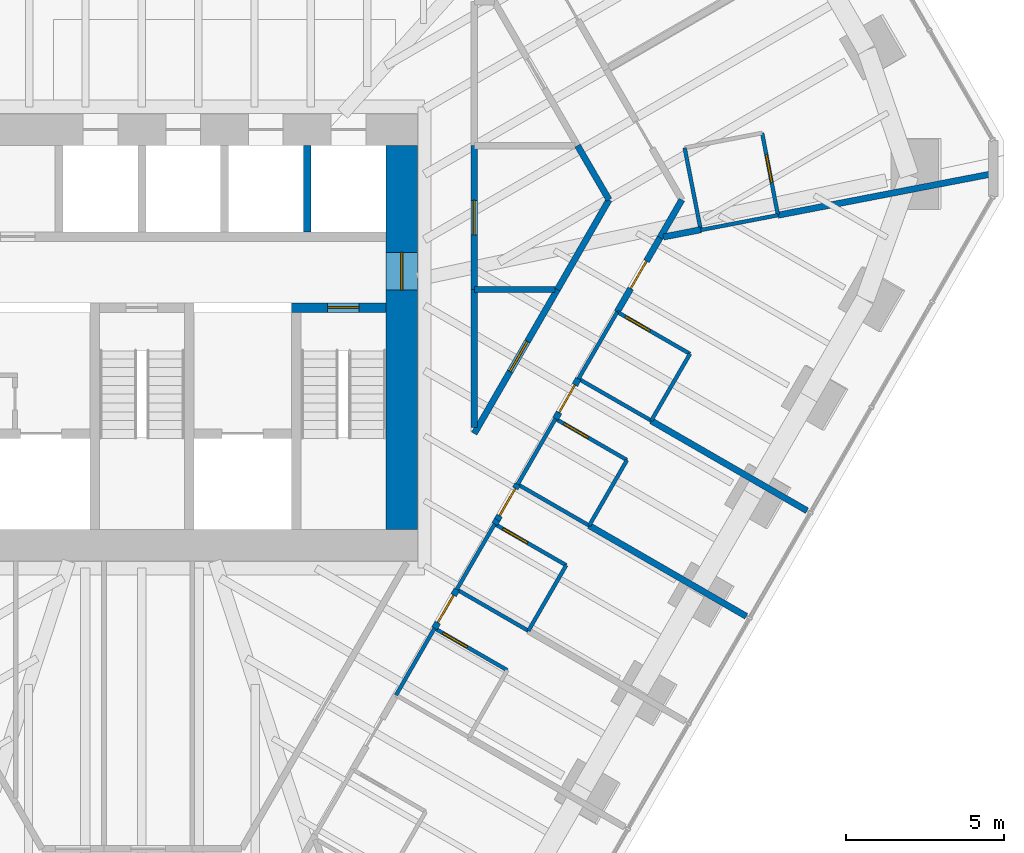
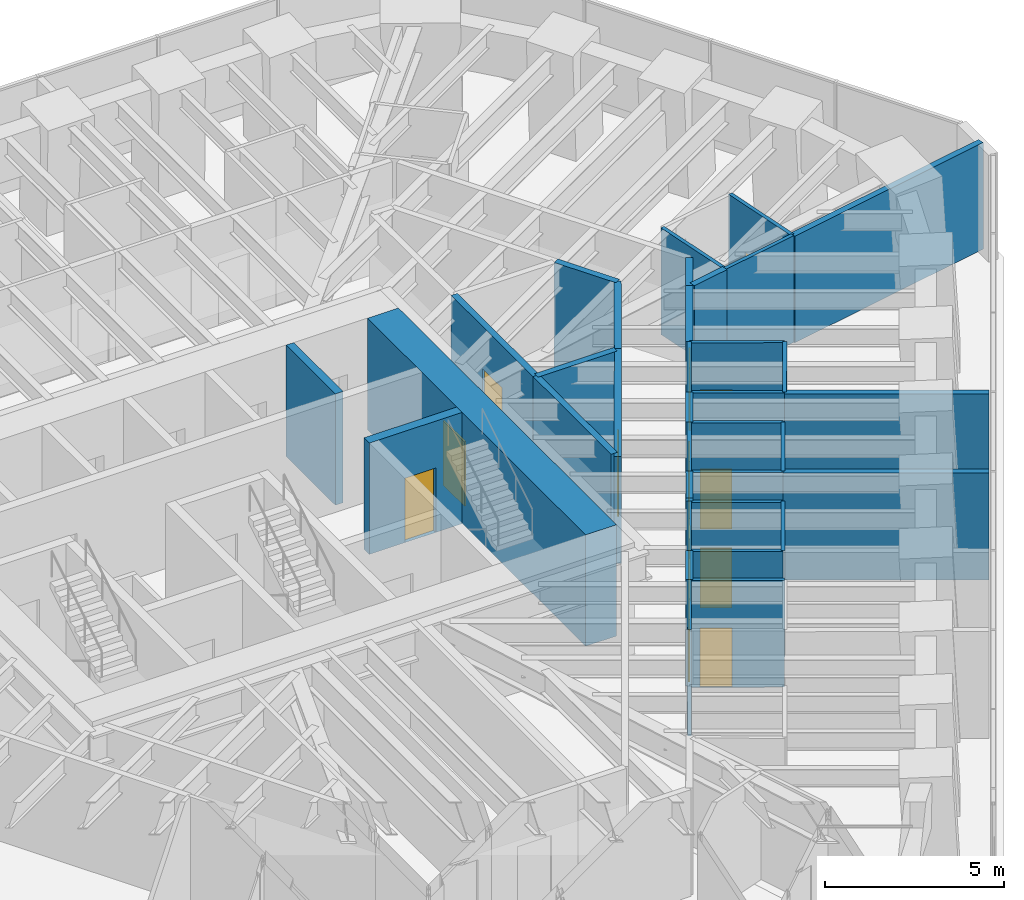
# One storey, part 13 of 17: 36 walls, 13 doors, 13 openings.
"""IFC4 building model written with IfcOpenShell, lengths in metres."""

from ifc_helpers import new_model, si_unit, direction, frame, frame_2d, origin, place, context, subcontext, project, spatial, rectangle, extrude, material, layer, layer_set, type_object, element, fill, save


model = new_model("IFC4")

# Units and contexts
model_context = context("Model", 3, precision=1e-05, world=origin(), true_north=direction((0.0, 1.0)))
body_context = subcontext(model_context, "Body", "Model", "MODEL_VIEW")
ifc_project = project(units=[si_unit("LENGTHUNIT", "METRE"), si_unit("AREAUNIT", "SQUARE_METRE"), si_unit("VOLUMEUNIT", "CUBIC_METRE"), si_unit("PLANEANGLEUNIT", "RADIAN"), si_unit("MASSUNIT", "GRAM", prefix="KILO")], contexts=[model_context])

# Site, building, storey
site_placement = place(None, origin())
site = spatial("IfcSite", under=ifc_project, at=site_placement, CompositionType="ELEMENT")
building_placement = place(site_placement, origin())
building = spatial("IfcBuilding", under=site, at=building_placement, Name="Sandreach Pilgrim Tower", CompositionType="ELEMENT")
storey_placement = place(building_placement, frame((0.0, 0.0, 240.199951171875)))
storey = spatial("IfcBuildingStorey", under=building, at=storey_placement, Name="L60", CompositionType="ELEMENT", Elevation=240.199951171875)

# Walls
ifc_material_1 = material(Name="Moisture-resistant gypsum board on steel studs", Category="steel")
ifc_layer_1 = layer(ifc_material_1, 0.1201171875)
ifc_layer_set_1 = layer_set([ifc_layer_1], Name="Bathroom partition 120")
wall_type_1 = type_object("IfcWallType", Name="Bathroom partition 120", PredefinedType="PARTITIONING", material=ifc_layer_set_1)
wall_1_placement = place(storey_placement, frame((8.070068359375, -11.35009765625, 0.0), z_axis=(0.0, 0.0, 1.0), x_axis=(0.498748634132, 0.866746675766, 0.0)))
element("IfcWall", 1, at=wall_1_placement, inside=storey, type_object=wall_type_1, Name="Bathroom partition L60-101", PredefinedType="PARTITIONING", context=body_context, shape_type="SweptSolid", body=[
    extrude(rectangle(XDim=2.446044921875, YDim=0.1201171875, at=frame_2d((1.22314453125, 0.0))), origin(), (0.0, 0.0, 1.0), 3.64013671875),
])
wall_2_placement = place(storey_placement, frame((9.996337890625, -7.998046875, 0.0), z_axis=(0.0, 0.0, 1.0), x_axis=(0.501188543314, 0.865338109672, 0.0)))
element("IfcWall", 2, at=wall_2_placement, inside=storey, type_object=wall_type_1, Name="Bathroom partition L60-108", PredefinedType="PARTITIONING", context=body_context, shape_type="SweptSolid", body=[
    extrude(rectangle(XDim=2.401611328125, YDim=0.1201171875, at=frame_2d((1.20068359375, 0.0))), origin(), (0.0, 0.0, 1.0), 3.64013671875),
])
wall_3_placement = place(storey_placement, frame((10.0, -8.0, 0.0), z_axis=(0.0, 0.0, 1.0), x_axis=(0.866010296064, -0.500026166427, 0.0)))
element("IfcWall", 3, at=wall_3_placement, inside=storey, type_object=wall_type_1, Name="Bathroom partition L60-109", PredefinedType="PARTITIONING", context=body_context, shape_type="SweptSolid", body=[
    extrude(rectangle(XDim=2.620849609375, YDim=0.1201171875, at=frame_2d((1.310546875, 0.0))), origin(), (0.0, 0.0, 1.0), 3.64013671875),
])

# Wall, opening, door
wall_4_placement = place(storey_placement, frame((11.60009765625, -10.56005859375, 0.0), z_axis=(0.0, 0.0, 1.0), x_axis=(-0.866615255992, 0.498976951453, 0.0)))
wall_4 = element("IfcWall", 4, at=wall_4_placement, inside=storey, type_object=wall_type_1, Name="Bathroom partition L60-125", PredefinedType="PARTITIONING", context=body_context, shape_type="SweptSolid", body=[
    extrude(rectangle(XDim=2.66552734375, YDim=0.1201171875, at=frame_2d((1.332763671875, 0.0))), origin(), (0.0, 0.0, 1.0), 3.64013671875),
])
opening_1_placement = place(wall_4_placement, frame((1.465576171875, 0.0, 0.0)))
opening_1 = element("IfcOpeningElement", 5, at=opening_1_placement, cuts=wall_4, Name="Opening D09-11B", PredefinedType="OPENING", context=body_context, shape_type="SweptSolid", body=[
    extrude(rectangle(XDim=0.89990234375, YDim=2.030029296875, at=frame_2d((0.449951171875, 1.01513671875))), frame((0.0, 0.06005859375, 0.0), z_axis=(0.0, -1.0, 0.0), x_axis=(1.0, 0.0, 0.0)), (0.0, 0.0, 1.0), 0.1201171875),
])
ifc_material_2 = material(Name="Timber door, steel frame", Category="steel")
door_type_1 = type_object("IfcDoorType", Name="Bathroom door", OperationType="SINGLE_SWING_LEFT", PredefinedType="DOOR", material=ifc_material_2)
door_1_placement = place(opening_1_placement, origin())
door_1 = element("IfcDoor", 6, at=door_1_placement, inside=storey, type_object=door_type_1, Name="Door 6011B", OperationType="SINGLE_SWING_RIGHT", OverallHeight=2.030029296875, OverallWidth=0.89990234375, PredefinedType="DOOR", context=body_context, shape_type="SweptSolid", body=[
    extrude(rectangle(XDim=0.89990234375, YDim=2.030029296875, at=frame_2d((0.449951171875, 1.01513671875))), frame((0.0, 0.02490234375, 0.0), z_axis=(0.0, -1.0, 0.0), x_axis=(1.0, 0.0, 0.0)), (0.0, 0.0, 1.0), 0.050048828125),
])
fill(opening_1, door_1)

# Walls
wall_5_placement = place(storey_placement, frame((11.929931640625, -4.659912109375, 0.0), z_axis=(0.0, 0.0, 1.0), x_axis=(0.499737123639, 0.866177122335, 0.0)))
element("IfcWall", 7, at=wall_5_placement, inside=storey, type_object=wall_type_1, Name="Bathroom partition L60-128", PredefinedType="PARTITIONING", context=body_context, shape_type="SweptSolid", body=[
    extrude(rectangle(XDim=2.401123046875, YDim=0.1201171875, at=frame_2d((1.20068359375, 0.0))), origin(), (0.0, 0.0, 1.0), 3.64013671875),
])
wall_6_placement = place(storey_placement, frame((11.929931640625, -4.659912109375, 0.0), z_axis=(0.0, 0.0, 1.0), x_axis=(0.865969958829, -0.500096021185, 0.0)))
element("IfcWall", 8, at=wall_6_placement, inside=storey, type_object=wall_type_1, Name="Bathroom partition L60-129", PredefinedType="PARTITIONING", context=body_context, shape_type="SweptSolid", body=[
    extrude(rectangle(XDim=2.62109375, YDim=0.1201171875, at=frame_2d((1.310546875, 0.0))), origin(), (0.0, 0.0, 1.0), 3.64013671875),
])
wall_7_placement = place(storey_placement, frame((12.27001953125, -9.31005859375, 0.0), z_axis=(0.0, 0.0, 1.0), x_axis=(0.499693115345, 0.866202511239, 0.0)))
element("IfcWall", 9, at=wall_7_placement, inside=storey, type_object=wall_type_1, Name="Bathroom partition L60-131", PredefinedType="PARTITIONING", context=body_context, shape_type="SweptSolid", body=[
    extrude(rectangle(XDim=2.4013671875, YDim=0.1201171875, at=frame_2d((1.20068359375, 0.0))), origin(), (0.0, 0.0, 1.0), 3.64013671875),
])

# Wall, opening, door
wall_8_placement = place(storey_placement, frame((13.469970703125, -7.22998046875, 0.0), z_axis=(0.0, 0.0, 1.0), x_axis=(-0.866114241029, 0.499846097802, 0.0)))
wall_8 = element("IfcWall", 10, at=wall_8_placement, inside=storey, type_object=wall_type_1, Name="Bathroom partition L60-136", PredefinedType="PARTITIONING", context=body_context, shape_type="SweptSolid", body=[
    extrude(rectangle(XDim=2.620849609375, YDim=0.1201171875, at=frame_2d((1.310546875, 0.0))), origin(), (0.0, 0.0, 1.0), 3.64013671875),
])
opening_2_placement = place(wall_8_placement, frame((1.4208984375, 0.0, 0.0)))
opening_2 = element("IfcOpeningElement", 11, at=opening_2_placement, cuts=wall_8, Name="Opening D09-10B", PredefinedType="OPENING", context=body_context, shape_type="SweptSolid", body=[
    extrude(rectangle(XDim=0.89990234375, YDim=2.030029296875, at=frame_2d((0.449951171875, 1.01513671875))), frame((0.0, 0.06005859375, 0.0), z_axis=(0.0, -1.0, 0.0), x_axis=(1.0, 0.0, 0.0)), (0.0, 0.0, 1.0), 0.1201171875),
])
door_2_placement = place(opening_2_placement, origin())
door_2 = element("IfcDoor", 12, at=door_2_placement, inside=storey, type_object=door_type_1, Name="Door 6010B", OperationType="SINGLE_SWING_RIGHT", OverallHeight=2.030029296875, OverallWidth=0.89990234375, PredefinedType="DOOR", context=body_context, shape_type="SweptSolid", body=[
    extrude(rectangle(XDim=0.89990234375, YDim=2.030029296875, at=frame_2d((0.449951171875, 1.01513671875))), frame((0.0, 0.02490234375, 0.0), z_axis=(0.0, -1.0, 0.0), x_axis=(1.0, 0.0, 0.0)), (0.0, 0.0, 1.0), 0.050048828125),
])
fill(opening_2, door_2)

# Walls
wall_9_placement = place(storey_placement, frame((13.860107421875, -1.31005859375, 0.0), z_axis=(0.0, 0.0, 1.0), x_axis=(0.501813488763, 0.864975850817, 0.0)))
element("IfcWall", 13, at=wall_9_placement, inside=storey, type_object=wall_type_1, Name="Bathroom partition L60-140", PredefinedType="PARTITIONING", context=body_context, shape_type="SweptSolid", body=[
    extrude(rectangle(XDim=2.451171875, YDim=0.1201171875, at=frame_2d((1.2255859375, 0.0))), origin(), (0.0, 0.0, 1.0), 3.64013671875),
])
wall_10_placement = place(storey_placement, frame((14.199951171875, -5.969970703125, 0.0), z_axis=(0.0, 0.0, 1.0), x_axis=(0.499737123639, 0.866177122335, 0.0)))
element("IfcWall", 14, at=wall_10_placement, inside=storey, type_object=wall_type_1, Name="Bathroom partition L60-142", PredefinedType="PARTITIONING", context=body_context, shape_type="SweptSolid", body=[
    extrude(rectangle(XDim=2.401123046875, YDim=0.1201171875, at=frame_2d((1.20068359375, 0.0))), origin(), (0.0, 0.0, 1.0), 3.64013671875),
])

# Wall, opening, door
wall_11_placement = place(storey_placement, frame((15.39990234375, -3.889892578125, 0.0), z_axis=(0.0, 0.0, 1.0), x_axis=(-0.866154567199, 0.49977621564, 0.0)))
wall_11 = element("IfcWall", 15, at=wall_11_placement, inside=storey, type_object=wall_type_1, Name="Bathroom partition L60-146", PredefinedType="PARTITIONING", context=body_context, shape_type="SweptSolid", body=[
    extrude(rectangle(XDim=2.620849609375, YDim=0.1201171875, at=frame_2d((1.310546875, 0.0))), origin(), (0.0, 0.0, 1.0), 3.64013671875),
])
opening_3_placement = place(wall_11_placement, frame((1.4208984375, 0.0, 0.0)))
opening_3 = element("IfcOpeningElement", 16, at=opening_3_placement, cuts=wall_11, Name="Opening D09-09B", PredefinedType="OPENING", context=body_context, shape_type="SweptSolid", body=[
    extrude(rectangle(XDim=0.89990234375, YDim=2.030029296875, at=frame_2d((0.449951171875, 1.01513671875))), frame((0.0, 0.06005859375, 0.0), z_axis=(0.0, -1.0, 0.0), x_axis=(1.0, 0.0, 0.0)), (0.0, 0.0, 1.0), 0.1201171875),
])
door_3_placement = place(opening_3_placement, origin())
door_3 = element("IfcDoor", 17, at=door_3_placement, inside=storey, type_object=door_type_1, Name="Door 6009B", OperationType="SINGLE_SWING_RIGHT", OverallHeight=2.030029296875, OverallWidth=0.89990234375, PredefinedType="DOOR", context=body_context, shape_type="SweptSolid", body=[
    extrude(rectangle(XDim=0.89990234375, YDim=2.030029296875, at=frame_2d((0.449951171875, 1.01513671875))), frame((0.0, 0.02490234375, 0.0), z_axis=(0.0, -1.0, 0.0), x_axis=(1.0, 0.0, 0.0)), (0.0, 0.0, 1.0), 0.050048828125),
])
fill(opening_3, door_3)

# Walls
wall_12_placement = place(storey_placement, frame((16.169921875, -2.639892578125, 0.0), z_axis=(0.0, 0.0, 1.0), x_axis=(-0.86663205897, 0.498947767172, 0.0)))
element("IfcWall", 18, at=wall_12_placement, inside=storey, type_object=wall_type_1, Name="Bathroom partition L60-148", PredefinedType="PARTITIONING", context=body_context, shape_type="SweptSolid", body=[
    extrude(rectangle(XDim=2.665283203125, YDim=0.1201171875, at=frame_2d((1.33251953125, 0.0))), origin(), (0.0, 0.0, 1.0), 3.64013671875),
])
wall_13_placement = place(storey_placement, frame((16.169921875, -2.639892578125, 0.0), z_axis=(0.0, 0.0, 1.0), x_axis=(0.501856726365, 0.86495076519, 0.0)))
element("IfcWall", 19, at=wall_13_placement, inside=storey, type_object=wall_type_1, Name="Bathroom partition L60-149", PredefinedType="PARTITIONING", context=body_context, shape_type="SweptSolid", body=[
    extrude(rectangle(XDim=2.450927734375, YDim=0.1201171875, at=frame_2d((1.2255859375, 0.0))), origin(), (0.0, 0.0, 1.0), 3.64013671875),
])
wall_14_placement = place(storey_placement, frame((17.22998046875, 6.02001953125, 0.0), z_axis=(0.0, 0.0, 1.0), x_axis=(0.192499717639, -0.981297028788, 0.0)))
element("IfcWall", 20, at=wall_14_placement, inside=storey, type_object=wall_type_1, Name="Bathroom partition L60-153", PredefinedType="PARTITIONING", context=body_context, shape_type="SweptSolid", body=[
    extrude(rectangle(XDim=2.6494140625, YDim=0.1201171875, at=frame_2d((1.32470703125, 0.0))), origin(), (0.0, 0.0, 1.0), 3.64013671875),
])

# Wall, opening, door
wall_15_placement = place(storey_placement, frame((17.39990234375, -0.52001953125, 0.0), z_axis=(0.0, 0.0, 1.0), x_axis=(-0.866592449628, 0.499016559092, 0.0)))
wall_15 = element("IfcWall", 21, at=wall_15_placement, inside=storey, type_object=wall_type_1, Name="Bathroom partition L60-154", PredefinedType="PARTITIONING", context=body_context, shape_type="SweptSolid", body=[
    extrude(rectangle(XDim=2.665283203125, YDim=0.1201171875, at=frame_2d((1.33251953125, 0.0))), origin(), (0.0, 0.0, 1.0), 3.64013671875),
])
opening_4_placement = place(wall_15_placement, frame((1.465576171875, 0.0, 0.0)))
opening_4 = element("IfcOpeningElement", 22, at=opening_4_placement, cuts=wall_15, Name="Opening D09-08B", PredefinedType="OPENING", context=body_context, shape_type="SweptSolid", body=[
    extrude(rectangle(XDim=0.89990234375, YDim=2.030029296875, at=frame_2d((0.449951171875, 1.01513671875))), frame((0.0, 0.06005859375, 0.0), z_axis=(0.0, -1.0, 0.0), x_axis=(1.0, 0.0, 0.0)), (0.0, 0.0, 1.0), 0.1201171875),
])
door_4_placement = place(opening_4_placement, origin())
door_4 = element("IfcDoor", 23, at=door_4_placement, inside=storey, type_object=door_type_1, Name="Door 6008B", OperationType="SINGLE_SWING_RIGHT", OverallHeight=2.030029296875, OverallWidth=0.89990234375, PredefinedType="DOOR", context=body_context, shape_type="SweptSolid", body=[
    extrude(rectangle(XDim=0.89990234375, YDim=2.030029296875, at=frame_2d((0.449951171875, 1.01513671875))), frame((0.0, 0.02490234375, 0.0), z_axis=(0.0, -1.0, 0.0), x_axis=(1.0, 0.0, 0.0)), (0.0, 0.0, 1.0), 0.050048828125),
])
fill(opening_4, door_4)

# Wall
wall_16_placement = place(storey_placement, frame((17.739990234375, 3.409912109375, 0.0), z_axis=(0.0, 0.0, 1.0), x_axis=(0.981991098912, 0.188927186128, 0.0)))
element("IfcWall", 24, at=wall_16_placement, inside=storey, type_object=wall_type_1, Name="Bathroom partition L60-155", PredefinedType="PARTITIONING", context=body_context, shape_type="SweptSolid", body=[
    extrude(rectangle(XDim=2.49658203125, YDim=0.1201171875, at=frame_2d((1.248291015625, 0.0))), origin(), (0.0, 0.0, 1.0), 3.64013671875),
])

# Wall, opening, door
wall_17_placement = place(storey_placement, frame((20.18994140625, 3.889892578125, 0.0), z_axis=(0.0, 0.0, 1.0), x_axis=(-0.188840553732, 0.982007762325, 0.0)))
wall_17 = element("IfcWall", 25, at=wall_17_placement, inside=storey, type_object=wall_type_1, Name="Bathroom partition L60-158", PredefinedType="PARTITIONING", context=body_context, shape_type="SweptSolid", body=[
    extrude(rectangle(XDim=2.647705078125, YDim=0.1201171875, at=frame_2d((1.32373046875, 0.0))), origin(), (0.0, 0.0, 1.0), 3.64013671875),
])
opening_5_placement = place(wall_17_placement, frame((1.050048828125, 0.0, 0.0)))
opening_5 = element("IfcOpeningElement", 26, at=opening_5_placement, cuts=wall_17, Name="Opening D09-07B", PredefinedType="OPENING", context=body_context, shape_type="SweptSolid", body=[
    extrude(rectangle(XDim=0.89990234375, YDim=2.030029296875, at=frame_2d((0.449951171875, 1.01513671875))), frame((0.0, 0.06005859375, 0.0), z_axis=(0.0, -1.0, 0.0), x_axis=(1.0, 0.0, 0.0)), (0.0, 0.0, 1.0), 0.1201171875),
])
door_5_placement = place(opening_5_placement, origin())
door_5 = element("IfcDoor", 27, at=door_5_placement, inside=storey, type_object=door_type_1, Name="Door 6007B", OperationType="SINGLE_SWING_RIGHT", OverallHeight=2.030029296875, OverallWidth=0.89990234375, PredefinedType="DOOR", context=body_context, shape_type="SweptSolid", body=[
    extrude(rectangle(XDim=0.89990234375, YDim=2.030029296875, at=frame_2d((0.449951171875, 1.01513671875))), frame((0.0, 0.02490234375, 0.0), z_axis=(0.0, -1.0, 0.0), x_axis=(1.0, 0.0, 0.0)), (0.0, 0.0, 1.0), 0.050048828125),
])
fill(opening_5, door_5)

ifc_material_3 = material(Name="Concrete 10000 psi", Category="concrete")
ifc_layer_2 = layer(ifc_material_3, 0.300048828125)
ifc_layer_set_2 = layer_set([ifc_layer_2], Name="Core inner wall 300")
wall_type_2 = type_object("IfcWallType", Name="Core inner wall 300", PredefinedType="SHEAR", material=ifc_layer_set_2)
wall_18_placement = place(storey_placement, frame((4.75, 0.949951171875, 0.0), z_axis=(0.0, 0.0, 1.0), x_axis=(1.0, 0.0, 0.0)))
wall_18 = element("IfcWall", 28, at=wall_18_placement, inside=storey, type_object=wall_type_2, Name="Core wall SN2 L60", PredefinedType="SHEAR", context=body_context, shape_type="SweptSolid", body=[
    extrude(rectangle(XDim=3.0, YDim=0.300048828125, at=frame_2d((1.5, 0.0))), origin(), (0.0, 0.0, 1.0), 3.800048828125),
])
opening_6_placement = place(wall_18_placement, frame((1.14990234375, 0.0, 0.0)))
opening_6 = element("IfcOpeningElement", 29, at=opening_6_placement, cuts=wall_18, Name="Opening D10S-ST2", PredefinedType="OPENING", context=body_context, shape_type="SweptSolid", body=[
    extrude(rectangle(XDim=1.0, YDim=2.199951171875, at=frame_2d((0.5, 1.10009765625))), frame((0.0, 0.14990234375, 0.0), z_axis=(0.0, -1.0, 0.0), x_axis=(1.0, 0.0, 0.0)), (0.0, 0.0, 1.0), 0.300048828125),
])
ifc_material_4 = material(Name="Steel door and frame", Category="steel")
door_type_2 = type_object("IfcDoorType", Name="Stair door", OperationType="SINGLE_SWING_LEFT", PredefinedType="DOOR", material=ifc_material_4)
door_6_placement = place(opening_6_placement, origin())
door_6 = element("IfcDoor", 30, at=door_6_placement, inside=storey, type_object=door_type_2, Name="Stair door ST2 L60", OperationType="SINGLE_SWING_RIGHT", OverallHeight=2.199951171875, OverallWidth=1.0, PredefinedType="DOOR", context=body_context, shape_type="SweptSolid", body=[
    extrude(rectangle(XDim=1.0, YDim=2.199951171875, at=frame_2d((0.5, 1.10009765625))), frame((0.0, 0.02490234375, 0.0), z_axis=(0.0, -1.0, 0.0), x_axis=(1.0, 0.0, 0.0)), (0.0, 0.0, 1.0), 0.050048828125),
])
fill(opening_6, door_6)

ifc_material_5 = material(Name="Concrete 10000 psi", Category="concrete")
ifc_layer_3 = layer(ifc_material_5, 1.0)
ifc_layer_set_3 = layer_set([ifc_layer_3], Name="Core wall 1000")
wall_type_3 = type_object("IfcWallType", Name="Core wall 1000", PredefinedType="SHEAR", material=ifc_layer_set_3)
wall_19_placement = place(storey_placement, frame((8.25, -6.10009765625, 0.0), z_axis=(0.0, 0.0, 1.0), x_axis=(0.0, 1.0, 0.0)))
wall_19 = element("IfcWall", 31, at=wall_19_placement, inside=storey, type_object=wall_type_3, Name="Core wall E L60", PredefinedType="SHEAR", context=body_context, shape_type="SweptSolid", body=[
    extrude(rectangle(XDim=12.2001953125, YDim=1.0, at=frame_2d((6.10009765625, 0.0))), origin(), (0.0, 0.0, 1.0), 3.800048828125),
])
opening_7_placement = place(wall_19_placement, frame((7.60009765625, 0.0, 0.0)))
opening_7 = element("IfcOpeningElement", 32, at=opening_7_placement, cuts=wall_19, Name="Opening D12F-E", PredefinedType="OPENING", context=body_context, shape_type="SweptSolid", body=[
    extrude(rectangle(XDim=1.199951171875, YDim=2.199951171875, at=frame_2d((0.60009765625, 1.10009765625))), frame((0.0, 0.5, 0.0), z_axis=(0.0, -1.0, 0.0), x_axis=(1.0, 0.0, 0.0)), (0.0, 0.0, 1.0), 1.0),
])
ifc_material_6 = material(Name="Steel door and frame", Category="steel")
door_type_3 = type_object("IfcDoorType", Name="Fire lobby door", OperationType="SINGLE_SWING_LEFT", PredefinedType="DOOR", material=ifc_material_6)
door_7_placement = place(opening_7_placement, origin())
door_7 = element("IfcDoor", 33, at=door_7_placement, inside=storey, type_object=door_type_3, Name="Fire service lobby door E L60", OperationType="SINGLE_SWING_RIGHT", OverallHeight=2.199951171875, OverallWidth=1.199951171875, PredefinedType="DOOR", context=body_context, shape_type="SweptSolid", body=[
    extrude(rectangle(XDim=1.199951171875, YDim=2.199951171875, at=frame_2d((0.60009765625, 1.10009765625))), frame((0.0, 0.02490234375, 0.0), z_axis=(0.0, -1.0, 0.0), x_axis=(1.0, 0.0, 0.0)), (0.0, 0.0, 1.0), 0.050048828125),
])
fill(opening_7, door_7)

ifc_material_7 = material(Name="Gypsum board on steel studs, two layers each side", Category="steel")
ifc_layer_4 = layer(ifc_material_7, 0.199951171875)
ifc_layer_set_4 = layer_set([ifc_layer_4], Name="Corridor wall 200")
wall_type_4 = type_object("IfcWallType", Name="Corridor wall 200", PredefinedType="PARTITIONING", material=ifc_layer_set_4)
wall_20_placement = place(storey_placement, frame((9.2900390625, -9.22998046875, 0.0), z_axis=(0.0, 0.0, 1.0), x_axis=(0.499910949922, 0.866076810767, 0.0)))
wall_20 = element("IfcWall", 34, at=wall_20_placement, inside=storey, type_object=wall_type_4, Name="Corridor wall L60-107", PredefinedType="PARTITIONING", context=body_context, shape_type="SweptSolid", body=[
    extrude(rectangle(XDim=1.420166015625, YDim=0.199951171875, at=frame_2d((0.7099609375, 0.0))), origin(), (0.0, 0.0, 1.0), 3.64013671875),
])
opening_8_placement = place(wall_20_placement, frame((0.210205078125, 0.0, 0.0)))
opening_8 = element("IfcOpeningElement", 35, at=opening_8_placement, cuts=wall_20, Name="Opening D10-11", PredefinedType="OPENING", context=body_context, shape_type="SweptSolid", body=[
    extrude(rectangle(XDim=1.0, YDim=2.1298828125, at=frame_2d((0.5, 1.06494140625))), frame((0.0, 0.10009765625, 0.0), z_axis=(0.0, -1.0, 0.0), x_axis=(1.0, 0.0, 0.0)), (0.0, 0.0, 1.0), 0.199951171875),
])
ifc_material_8 = material(Name="Steel door and frame", Category="steel")
door_type_4 = type_object("IfcDoorType", Name="Guest room entry door", OperationType="SINGLE_SWING_LEFT", PredefinedType="DOOR", material=ifc_material_8)
door_8_placement = place(opening_8_placement, origin())
door_8 = element("IfcDoor", 36, at=door_8_placement, inside=storey, type_object=door_type_4, Name="Door 6011", OperationType="SINGLE_SWING_LEFT", OverallHeight=2.1298828125, OverallWidth=1.0, PredefinedType="DOOR", context=body_context, shape_type="SweptSolid", body=[
    extrude(rectangle(XDim=1.0, YDim=2.1298828125, at=frame_2d((0.5, 1.06494140625))), frame((0.0, 0.02490234375, 0.0), z_axis=(0.0, -1.0, 0.0), x_axis=(1.0, 0.0, 0.0)), (0.0, 0.0, 1.0), 0.050048828125),
])
fill(opening_8, door_8)

# Wall
wall_21_placement = place(storey_placement, frame((10.550048828125, -2.85498046875, 0.0), z_axis=(0.0, 0.0, 1.0), x_axis=(0.0, 1.0, 0.0)))
element("IfcWall", 37, at=wall_21_placement, inside=storey, type_object=wall_type_4, Name="Corridor wall L60-112", PredefinedType="PARTITIONING", context=body_context, shape_type="SweptSolid", body=[
    extrude(rectangle(XDim=4.375, YDim=0.199951171875, at=frame_2d((2.1875, 0.0))), origin(), (0.0, 0.0, 1.0), 3.64013671875),
])

# Wall, opening, door
wall_22_placement = place(storey_placement, frame((10.550048828125, 1.52001953125, 0.0), z_axis=(0.0, 0.0, 1.0), x_axis=(0.0, 1.0, 0.0)))
wall_22 = element("IfcWall", 38, at=wall_22_placement, inside=storey, type_object=wall_type_4, Name="Corridor wall L60-113", PredefinedType="PARTITIONING", context=body_context, shape_type="SweptSolid", body=[
    extrude(rectangle(XDim=4.570068359375, YDim=0.199951171875, at=frame_2d((2.28515625, 0.0))), origin(), (0.0, 0.0, 1.0), 3.64013671875),
])
opening_9_placement = place(wall_22_placement, frame((1.735107421875, 0.0, 0.0)))
opening_9 = element("IfcOpeningElement", 39, at=opening_9_placement, cuts=wall_22, Name="Opening D11H-M06", PredefinedType="OPENING", context=body_context, shape_type="SweptSolid", body=[
    extrude(rectangle(XDim=1.10009765625, YDim=2.199951171875, at=frame_2d((0.550048828125, 1.10009765625))), frame((0.0, 0.10009765625, 0.0), z_axis=(0.0, -1.0, 0.0), x_axis=(1.0, 0.0, 0.0)), (0.0, 0.0, 1.0), 0.199951171875),
])
ifc_material_9 = material(Name="Steel door and frame", Category="steel")
door_type_5 = type_object("IfcDoorType", Name="Back of house door", OperationType="SINGLE_SWING_LEFT", PredefinedType="DOOR", material=ifc_material_9)
door_9_placement = place(opening_9_placement, origin())
door_9 = element("IfcDoor", 40, at=door_9_placement, inside=storey, type_object=door_type_5, Name="Door 60M06", OperationType="SINGLE_SWING_LEFT", OverallHeight=2.199951171875, OverallWidth=1.10009765625, PredefinedType="DOOR", context=body_context, shape_type="SweptSolid", body=[
    extrude(rectangle(XDim=1.10009765625, YDim=2.199951171875, at=frame_2d((0.550048828125, 1.10009765625))), frame((0.0, 0.02490234375, 0.0), z_axis=(0.0, -1.0, 0.0), x_axis=(1.0, 0.0, 0.0)), (0.0, 0.0, 1.0), 0.050048828125),
])
fill(opening_9, door_9)

# Wall
wall_23_placement = place(storey_placement, frame((11.199951171875, -5.919921875, 0.0), z_axis=(0.0, 0.0, 1.0), x_axis=(0.524811420021, 0.851218522717, 0.0)))
element("IfcWall", 41, at=wall_23_placement, inside=storey, type_object=wall_type_4, Name="Corridor wall L60-123", PredefinedType="PARTITIONING", context=body_context, shape_type="SweptSolid", body=[
    extrude(rectangle(XDim=0.152587890625, YDim=0.199951171875, at=frame_2d((0.076171875, 0.0))), origin(), (0.0, 0.0, 1.0), 3.64013671875),
])

# Wall, opening, door
wall_24_placement = place(storey_placement, frame((11.280029296875, -5.7900390625, 0.0), z_axis=(0.0, 0.0, 1.0), x_axis=(0.498516863914, 0.866880001149, 0.0)))
wall_24 = element("IfcWall", 42, at=wall_24_placement, inside=storey, type_object=wall_type_4, Name="Corridor wall L60-124", PredefinedType="PARTITIONING", context=body_context, shape_type="SweptSolid", body=[
    extrude(rectangle(XDim=1.3037109375, YDim=0.199951171875, at=frame_2d((0.65185546875, 0.0))), origin(), (0.0, 0.0, 1.0), 3.64013671875),
])
opening_10_placement = place(wall_24_placement, frame((0.15185546875, 0.0, 0.0)))
opening_10 = element("IfcOpeningElement", 43, at=opening_10_placement, cuts=wall_24, Name="Opening D10-10", PredefinedType="OPENING", context=body_context, shape_type="SweptSolid", body=[
    extrude(rectangle(XDim=1.0, YDim=2.1298828125, at=frame_2d((0.5, 1.06494140625))), frame((0.0, 0.10009765625, 0.0), z_axis=(0.0, -1.0, 0.0), x_axis=(1.0, 0.0, 0.0)), (0.0, 0.0, 1.0), 0.199951171875),
])
door_10_placement = place(opening_10_placement, origin())
door_10 = element("IfcDoor", 44, at=door_10_placement, inside=storey, type_object=door_type_4, Name="Door 6010", OperationType="SINGLE_SWING_LEFT", OverallHeight=2.1298828125, OverallWidth=1.0, PredefinedType="DOOR", context=body_context, shape_type="SweptSolid", body=[
    extrude(rectangle(XDim=1.0, YDim=2.1298828125, at=frame_2d((0.5, 1.06494140625))), frame((0.0, 0.02490234375, 0.0), z_axis=(0.0, -1.0, 0.0), x_axis=(1.0, 0.0, 0.0)), (0.0, 0.0, 1.0), 0.050048828125),
])
fill(opening_10, door_10)

wall_25_placement = place(storey_placement, frame((13.129638671875, -2.579833984375, 0.0), z_axis=(0.0, 0.0, 1.0), x_axis=(0.498649595136, 0.866803657855, 0.0)))
wall_25 = element("IfcWall", 45, at=wall_25_placement, inside=storey, type_object=wall_type_4, Name="Corridor wall L60-134", PredefinedType="PARTITIONING", context=body_context, shape_type="SweptSolid", body=[
    extrude(rectangle(XDim=1.46484375, YDim=0.199951171875, at=frame_2d((0.732421875, 0.0))), origin(), (0.0, 0.0, 1.0), 3.64013671875),
])
opening_11_placement = place(wall_25_placement, frame((0.232421875, 0.0, 0.0)))
opening_11 = element("IfcOpeningElement", 46, at=opening_11_placement, cuts=wall_25, Name="Opening D10-09", PredefinedType="OPENING", context=body_context, shape_type="SweptSolid", body=[
    extrude(rectangle(XDim=1.0, YDim=2.1298828125, at=frame_2d((0.5, 1.06494140625))), frame((0.0, 0.10009765625, 0.0), z_axis=(0.0, -1.0, 0.0), x_axis=(1.0, 0.0, 0.0)), (0.0, 0.0, 1.0), 0.199951171875),
])
door_11_placement = place(opening_11_placement, origin())
door_11 = element("IfcDoor", 47, at=door_11_placement, inside=storey, type_object=door_type_4, Name="Door 6009", OperationType="SINGLE_SWING_LEFT", OverallHeight=2.1298828125, OverallWidth=1.0, PredefinedType="DOOR", context=body_context, shape_type="SweptSolid", body=[
    extrude(rectangle(XDim=1.0, YDim=2.1298828125, at=frame_2d((0.5, 1.06494140625))), frame((0.0, 0.02490234375, 0.0), z_axis=(0.0, -1.0, 0.0), x_axis=(1.0, 0.0, 0.0)), (0.0, 0.0, 1.0), 0.050048828125),
])
fill(opening_11, door_11)

wall_26_placement = place(storey_placement, frame((13.18994140625, 1.52001953125, 0.0), z_axis=(0.0, 0.0, 1.0), x_axis=(-0.500193590286, -0.865913605527, 0.0)))
wall_26 = element("IfcWall", 48, at=wall_26_placement, inside=storey, type_object=wall_type_4, Name="Corridor wall L60-135", PredefinedType="PARTITIONING", context=body_context, shape_type="SweptSolid", body=[
    extrude(rectangle(XDim=5.27783203125, YDim=0.199951171875, at=frame_2d((2.638916015625, 0.0))), origin(), (0.0, 0.0, 1.0), 3.64013671875),
])
opening_12_placement = place(wall_26_placement, frame((1.89990234375, 0.0, 0.0)))
opening_12 = element("IfcOpeningElement", 49, at=opening_12_placement, cuts=wall_26, Name="Opening D11H-M04", PredefinedType="OPENING", context=body_context, shape_type="SweptSolid", body=[
    extrude(rectangle(XDim=1.10009765625, YDim=2.199951171875, at=frame_2d((0.550048828125, 1.10009765625))), frame((0.0, 0.10009765625, 0.0), z_axis=(0.0, -1.0, 0.0), x_axis=(1.0, 0.0, 0.0)), (0.0, 0.0, 1.0), 0.199951171875),
])
door_12_placement = place(opening_12_placement, origin())
door_12 = element("IfcDoor", 50, at=door_12_placement, inside=storey, type_object=door_type_5, Name="Door 60M04", OperationType="SINGLE_SWING_LEFT", OverallHeight=2.199951171875, OverallWidth=1.10009765625, PredefinedType="DOOR", context=body_context, shape_type="SweptSolid", body=[
    extrude(rectangle(XDim=1.10009765625, YDim=2.199951171875, at=frame_2d((0.550048828125, 1.10009765625))), frame((0.0, 0.02490234375, 0.0), z_axis=(0.0, -1.0, 0.0), x_axis=(1.0, 0.0, 0.0)), (0.0, 0.0, 1.0), 0.050048828125),
])
fill(opening_12, door_12)

# Walls
wall_27_placement = place(storey_placement, frame((13.830078125, 6.090087890625, 0.0), z_axis=(0.0, 0.0, 1.0), x_axis=(0.502573539539, -0.864534462792, 0.0)))
element("IfcWall", 51, at=wall_27_placement, inside=storey, type_object=wall_type_4, Name="Corridor wall L60-139", PredefinedType="PARTITIONING", context=body_context, shape_type="SweptSolid", body=[
    extrude(rectangle(XDim=1.98974609375, YDim=0.199951171875, at=frame_2d((0.994873046875, 0.0))), origin(), (0.0, 0.0, 1.0), 3.64013671875),
])
wall_28_placement = place(storey_placement, frame((14.830078125, 4.3701171875, 0.0), z_axis=(0.0, 0.0, 1.0), x_axis=(-0.498775186059, -0.866731396554, 0.0)))
element("IfcWall", 52, at=wall_28_placement, inside=storey, type_object=wall_type_4, Name="Corridor wall L60-143", PredefinedType="PARTITIONING", context=body_context, shape_type="SweptSolid", body=[
    extrude(rectangle(XDim=3.288330078125, YDim=0.199951171875, at=frame_2d((1.64404296875, 0.0))), origin(), (0.0, 0.0, 1.0), 3.64013671875),
])

# Wall, opening, door
wall_29_placement = place(storey_placement, frame((15.087646484375, 0.811279296875, 0.0), z_axis=(0.0, 0.0, 1.0), x_axis=(0.500149166734, 0.8659392652, 0.0)))
wall_29 = element("IfcWall", 53, at=wall_29_placement, inside=storey, type_object=wall_type_4, Name="Corridor wall L60-144", PredefinedType="PARTITIONING", context=body_context, shape_type="SweptSolid", body=[
    extrude(rectangle(XDim=2.723876953125, YDim=0.199951171875, at=frame_2d((1.36181640625, 0.0))), origin(), (0.0, 0.0, 1.0), 3.64013671875),
])
opening_13_placement = place(wall_29_placement, frame((0.86181640625, 0.0, 0.0)))
opening_13 = element("IfcOpeningElement", 54, at=opening_13_placement, cuts=wall_29, Name="Opening D10-08", PredefinedType="OPENING", context=body_context, shape_type="SweptSolid", body=[
    extrude(rectangle(XDim=1.0, YDim=2.1298828125, at=frame_2d((0.5, 1.06494140625))), frame((0.0, 0.10009765625, 0.0), z_axis=(0.0, -1.0, 0.0), x_axis=(1.0, 0.0, 0.0)), (0.0, 0.0, 1.0), 0.199951171875),
])
door_13_placement = place(opening_13_placement, origin())
door_13 = element("IfcDoor", 55, at=door_13_placement, inside=storey, type_object=door_type_4, Name="Door 6008", OperationType="SINGLE_SWING_LEFT", OverallHeight=2.1298828125, OverallWidth=1.0, PredefinedType="DOOR", context=body_context, shape_type="SweptSolid", body=[
    extrude(rectangle(XDim=1.0, YDim=2.1298828125, at=frame_2d((0.5, 1.06494140625))), frame((0.0, 0.02490234375, 0.0), z_axis=(0.0, -1.0, 0.0), x_axis=(1.0, 0.0, 0.0)), (0.0, 0.0, 1.0), 0.050048828125),
])
fill(opening_13, door_13)

# Walls
wall_30_placement = place(storey_placement, frame((16.449951171875, 3.169921875, 0.0), z_axis=(0.0, 0.0, 1.0), x_axis=(0.49845455473, 0.866915830325, 0.0)))
element("IfcWall", 56, at=wall_30_placement, inside=storey, type_object=wall_type_4, Name="Corridor wall L60-150", PredefinedType="PARTITIONING", context=body_context, shape_type="SweptSolid", body=[
    extrude(rectangle(XDim=1.38427734375, YDim=0.199951171875, at=frame_2d((0.692138671875, 0.0))), origin(), (0.0, 0.0, 1.0), 3.64013671875),
])
ifc_material_10 = material(Name="Double steel stud acoustic wall, gypsum board", Category="steel")
ifc_layer_5 = layer(ifc_material_10, 0.199951171875)
ifc_layer_set_5 = layer_set([ifc_layer_5], Name="Party wall 200")
wall_type_5 = type_object("IfcWallType", Name="Party wall 200", PredefinedType="PARTITIONING", material=ifc_layer_set_5)
wall_31_placement = place(storey_placement, frame((10.56005859375, 1.52001953125, 0.0), z_axis=(0.0, 0.0, 1.0), x_axis=(1.0, 0.0, 0.0)))
element("IfcWall", 57, at=wall_31_placement, inside=storey, type_object=wall_type_5, Name="Party wall L60-115", PredefinedType="PARTITIONING", context=body_context, shape_type="SweptSolid", body=[
    extrude(rectangle(XDim=2.550048828125, YDim=0.199951171875, at=frame_2d((1.27490234375, 0.0))), origin(), (0.0, 0.0, 1.0), 3.64013671875),
])
wall_32_placement = place(storey_placement, frame((14.19970703125, -5.970703125, 0.0), z_axis=(0.0, 0.0, 1.0), x_axis=(0.86600340545, -0.500038100297, 0.0)))
element("IfcWall", 58, at=wall_32_placement, inside=storey, type_object=wall_type_5, Name="Party wall L60-141", PredefinedType="PARTITIONING", context=body_context, shape_type="SweptSolid", body=[
    extrude(rectangle(XDim=5.7578125, YDim=0.199951171875, at=frame_2d((2.87890625, 0.0))), origin(), (0.0, 0.0, 1.0), 3.64013671875),
])
wall_33_placement = place(storey_placement, frame((16.168212890625, -2.642822265625, 0.0), z_axis=(0.0, 0.0, 1.0), x_axis=(0.865980633471, -0.500077536441, 0.0)))
element("IfcWall", 59, at=wall_33_placement, inside=storey, type_object=wall_type_5, Name="Party wall L60-147", PredefinedType="PARTITIONING", context=body_context, shape_type="SweptSolid", body=[
    extrude(rectangle(XDim=5.71337890625, YDim=0.199951171875, at=frame_2d((2.856689453125, 0.0))), origin(), (0.0, 0.0, 1.0), 3.64013671875),
])
wall_34_placement = place(storey_placement, frame((16.552978515625, 3.18994140625, 0.0), z_axis=(0.0, 0.0, 1.0), x_axis=(0.981743377248, 0.19021025532, 0.0)))
element("IfcWall", 60, at=wall_34_placement, inside=storey, type_object=wall_type_5, Name="Party wall L60-151", PredefinedType="PARTITIONING", context=body_context, shape_type="SweptSolid", body=[
    extrude(rectangle(XDim=1.208984375, YDim=0.199951171875, at=frame_2d((0.6044921875, 0.0))), origin(), (0.0, 0.0, 1.0), 3.64013671875),
])
wall_35_placement = place(storey_placement, frame((20.191650390625, 3.881591796875, 0.0), z_axis=(0.0, 0.0, 1.0), x_axis=(0.981855599951, 0.189630115871, 0.0)))
element("IfcWall", 61, at=wall_35_placement, inside=storey, type_object=wall_type_5, Name="Party wall L60-159", PredefinedType="PARTITIONING", context=body_context, shape_type="SweptSolid", body=[
    extrude(rectangle(XDim=6.975341796875, YDim=0.199951171875, at=frame_2d((3.48779296875, 0.0))), origin(), (0.0, 0.0, 1.0), 3.64013671875),
])
ifc_material_11 = material(Name="Gypsum shaft wall on steel studs, two layers of shaft liner board", Category="steel")
ifc_layer_6 = layer(ifc_material_11, 0.25)
ifc_layer_set_6 = layer_set([ifc_layer_6], Name="Shaft partition 250")
wall_type_6 = type_object("IfcWallType", Name="Shaft partition 250", PredefinedType="PARTITIONING", material=ifc_layer_set_6)
wall_36_placement = place(storey_placement, frame((5.25, 3.35009765625, 0.0), z_axis=(0.0, 0.0, 1.0), x_axis=(0.0, 1.0, 0.0)))
element("IfcWall", 62, at=wall_36_placement, inside=storey, type_object=wall_type_6, Name="Shaft partition NS4 L60", PredefinedType="PARTITIONING", context=body_context, shape_type="SweptSolid", body=[
    extrude(rectangle(XDim=2.75, YDim=0.25, at=frame_2d((1.375, 0.0))), origin(), (0.0, 0.0, 1.0), 3.800048828125),
])

save(model, "model.ifc")
